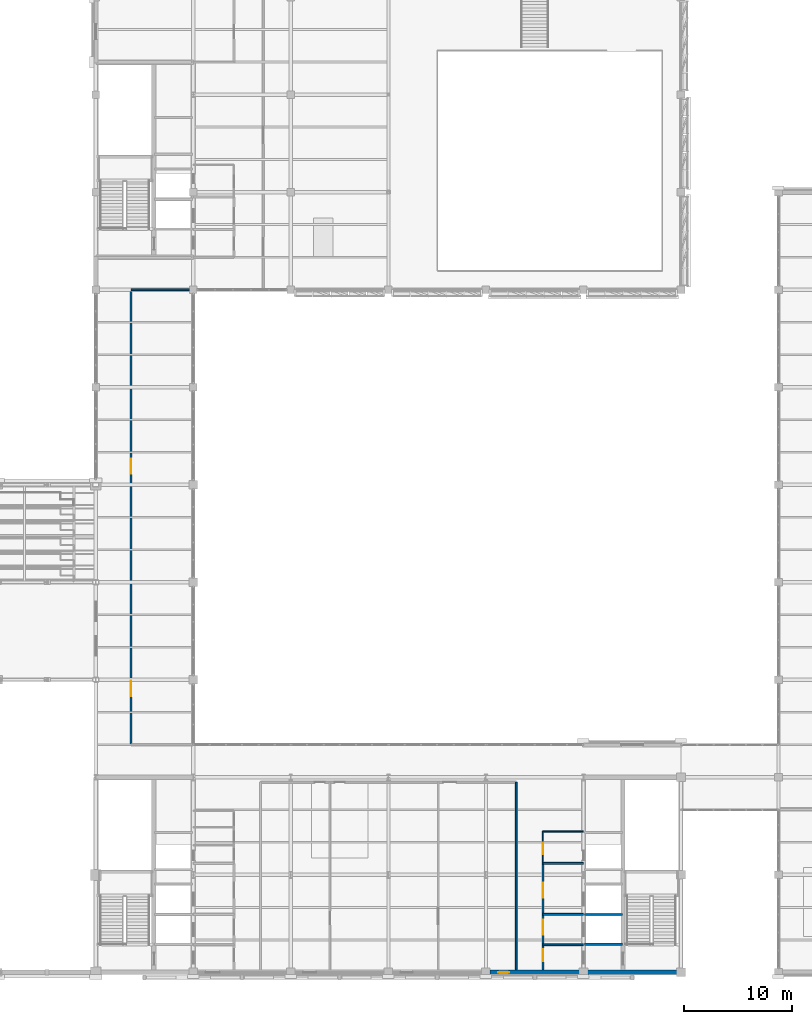
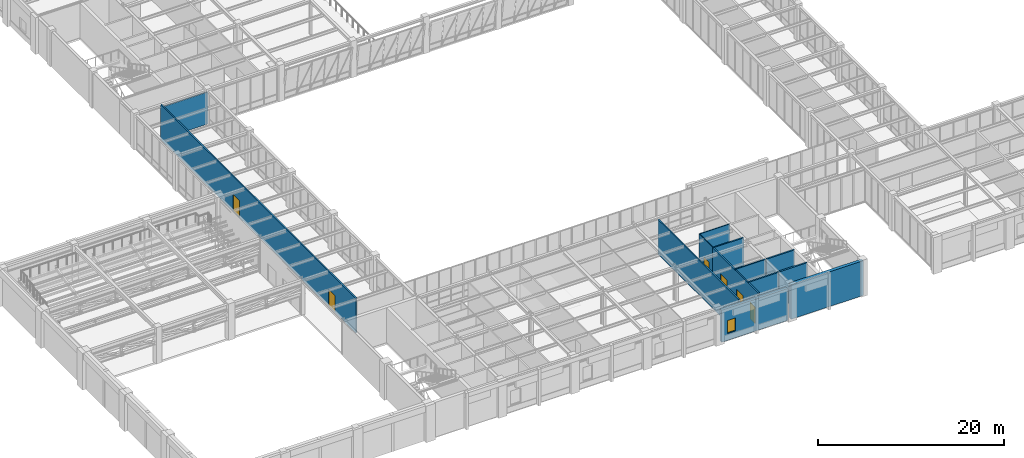
# One storey, part 81 of 92: 13 walls, 6 doors, 1 window, 7 openings.
"""IFC4 building model written with IfcOpenShell, lengths in metres."""

import ifcopenshell
import ifcopenshell.guid

model = None  # the IFC model being written
_history = None  # IfcOwnerHistory: only IFC2X3 demands one
_inside = {}  # id of a spatial element -> (the spatial element, [elements in it])
_under = {}  # id of a project, library or spatial element -> (it, [spatial elements below it])
_declared = {}  # id of a project -> (the project, [libraries it declares])
_typed = {}  # id of a type object -> (the type object, [elements of that type])
_made_of = {}  # id of a material, layer set ... -> (it, [elements and type objects made of it])


def new_model(schema):
    """Start an empty IFC model of exactly this schema.

    Asked for "IFC4X3", IfcOpenShell would pick the latest addendum, in which some entities
    have other attributes; the version numbers below select the first issue.
    IFC2X3 requires an IfcOwnerHistory on every rooted entity: one is made here for all.
    """
    global model, _history
    if schema == "IFC4X3":
        model = ifcopenshell.file(schema_version=(4, 3, 0, 0))
    else:
        model = ifcopenshell.file(schema=schema)
    _inside.clear()
    _under.clear()
    _declared.clear()
    _typed.clear()
    _made_of.clear()
    _history = None
    if model.schema == "IFC2X3":
        org = make("IfcOrganization", Name="unknown")
        user = make(
            "IfcPersonAndOrganization",
            ThePerson=make("IfcPerson", FamilyName="unknown"),
            TheOrganization=org,
        )
        app = make(
            "IfcApplication",
            ApplicationDeveloper=org,
            Version="unknown",
            ApplicationFullName="unknown",
            ApplicationIdentifier="unknown",
        )
        _history = make(
            "IfcOwnerHistory",
            OwningUser=user,
            OwningApplication=app,
            ChangeAction="ADDED",
            CreationDate=0,
        )
    return model


def make(cls, **values):
    """One entity of the class cls with the attributes given. An attribute that is None is left unset."""
    return model.create_entity(
        cls, **{name: value for name, value in values.items() if value is not None}
    )


def rooted(cls, **values):
    """An entity with a GlobalId (a new one), such as an element, a storey or a relation."""
    return make(cls, GlobalId=ifcopenshell.guid.new(), OwnerHistory=_history, **values)


def si_unit(unit_type, name, prefix=None):
    """IfcSIUnit, for example si_unit("LENGTHUNIT", "METRE", prefix="MILLI")."""
    return make("IfcSIUnit", UnitType=unit_type, Prefix=prefix, Name=name)


def assignment(units):
    """IfcUnitAssignment: the units of a project."""
    return None if units is None else make("IfcUnitAssignment", Units=units)


def point(xyz):
    """IfcCartesianPoint."""
    return None if xyz is None else make("IfcCartesianPoint", Coordinates=xyz)


def direction(xyz):
    """IfcDirection."""
    return None if xyz is None else make("IfcDirection", DirectionRatios=xyz)


def frame(location, z_axis=None, x_axis=None):
    """IfcAxis2Placement3D, a coordinate frame: its origin and axes. An axis left out is left unset."""
    return make(
        "IfcAxis2Placement3D",
        Location=point(location),
        Axis=direction(z_axis),
        RefDirection=direction(x_axis),
    )


def frame_2d(location, x_axis=None):
    """IfcAxis2Placement2D, a coordinate frame in the plane: its origin and x axis."""
    return make(
        "IfcAxis2Placement2D", Location=point(location), RefDirection=direction(x_axis)
    )


def origin():
    """The frame at (0, 0, 0) with its axes left unset."""
    return frame((0.0, 0.0, 0.0))


def place(relative_to, where):
    """IfcLocalPlacement: puts the frame where relative to a parent placement (None: the world)."""
    return make(
        "IfcLocalPlacement", PlacementRelTo=relative_to, RelativePlacement=where
    )


def context(
    kind, dimensions, precision=None, world=None, true_north=None, identifier=None
):
    """IfcGeometricRepresentationContext, for example the 3D "Model" context."""
    return make(
        "IfcGeometricRepresentationContext",
        ContextIdentifier=identifier,
        ContextType=kind,
        CoordinateSpaceDimension=dimensions,
        Precision=precision,
        WorldCoordinateSystem=world,
        TrueNorth=true_north,
    )


def subcontext(parent, identifier, kind, view, scale=None):
    """IfcGeometricRepresentationSubContext, for example "Body" below "Model"."""
    return make(
        "IfcGeometricRepresentationSubContext",
        ContextIdentifier=identifier,
        ContextType=kind,
        ParentContext=parent,
        TargetScale=scale,
        TargetView=view,
    )


def project(units=None, contexts=None):
    """IfcProject with its units and contexts."""
    return rooted(
        "IfcProject",
        Name="project",
        RepresentationContexts=contexts,
        UnitsInContext=assignment(units),
    )


def spatial(cls, under=None, at=None, **own):
    """A site, building, storey or space (cls), placed at a placement, below another one or the project."""
    s = rooted(cls, ObjectPlacement=at, **own)
    if under is not None:
        _under.setdefault(under.id(), (under, []))[1].append(s)
    return s


def profile(cls, at=None, kind="AREA", **sizes):
    """A parametric profile (cls). Its sizes go by their IFC names, for example OverallWidth=200.0."""
    return make(cls, ProfileType=kind, Position=at, **sizes)


def rectangle(**sizes):
    """IfcRectangleProfileDef."""
    return profile("IfcRectangleProfileDef", **sizes)


def extrude(swept, where, along, depth):
    """IfcExtrudedAreaSolid: the profile swept, set in the frame where, extruded along a direction by depth."""
    return make(
        "IfcExtrudedAreaSolid",
        SweptArea=swept,
        Position=where,
        ExtrudedDirection=direction(along),
        Depth=depth,
    )


def shape(context_of_items, identifier, shape_type, items):
    """IfcShapeRepresentation: the items that make up one representation, for example the "Body"."""
    return make(
        "IfcShapeRepresentation",
        ContextOfItems=context_of_items,
        RepresentationIdentifier=identifier,
        RepresentationType=shape_type,
        Items=items,
    )


def material(Name=None, Category=None):
    """IfcMaterial."""
    return make("IfcMaterial", Name=Name, Category=Category)


def layer(
    of_material, thickness, ventilated=None, Name=None, Category=None, Priority=None
):
    """IfcMaterialLayer: one layer of a wall or slab, of a material (None: an air gap)."""
    return make(
        "IfcMaterialLayer",
        Material=of_material,
        LayerThickness=thickness,
        IsVentilated=ventilated,
        Name=Name,
        Category=Category,
        Priority=Priority,
    )


def layer_set(layers, Name=None):
    """IfcMaterialLayerSet."""
    return make("IfcMaterialLayerSet", MaterialLayers=layers, LayerSetName=Name)


def made_of(thing, what):
    """Note that an element or type object is made of a material, layer set ...; save() writes the relation."""
    if what is not None:
        _made_of.setdefault(what.id(), (what, []))[1].append(thing)
    return thing


def type_object(cls, material=None, **own):
    """A type object (cls), such as IfcWallType, which elements share."""
    return made_of(rooted(cls, **own), material)


def element(
    cls,
    number,
    at=None,
    inside=None,
    cuts=None,
    type_object=None,
    material=None,
    context=None,
    identifier="Body",
    shape_type=None,
    held_by="IfcProductDefinitionShape",
    body=None,
    shapes=None,
    **own,
):
    """One element of the class cls, such as IfcWall. Its Tag is "e" and its number.

    at: its placement. inside: the storey or other place that contains it. cuts: it is an
    opening in that element (IfcRelVoidsElement). A single representation is given by context,
    identifier, shape_type and body (its items); several are given by shapes. held_by: the class
    of the entity that holds the representations. save() writes the other relations.
    """
    e = rooted(cls, Tag="e%d" % number, ObjectPlacement=at, **own)
    if body is not None:
        shapes = [shape(context, identifier, shape_type, body)]
    if shapes is not None:
        e.Representation = make(held_by, Representations=shapes)
    if inside is not None:
        _inside.setdefault(inside.id(), (inside, []))[1].append(e)
    if cuts is not None:
        rooted(
            "IfcRelVoidsElement", RelatingBuildingElement=cuts, RelatedOpeningElement=e
        )
    if type_object is not None:
        _typed.setdefault(type_object.id(), (type_object, []))[1].append(e)
    return made_of(e, material)


def fill(opening, filler):
    """IfcRelFillsElement: the door or window that sits in an opening."""
    return rooted(
        "IfcRelFillsElement",
        RelatingOpeningElement=opening,
        RelatedBuildingElement=filler,
    )


def aggregate(whole, parts):
    """IfcRelAggregates: a whole, such as a stair, and the parts it consists of."""
    return rooted("IfcRelAggregates", RelatingObject=whole, RelatedObjects=parts)


def save(model, path):
    """Write the relations noted so far, then the file.

    IfcRelAggregates (storeys below a building ...), IfcRelContainedInSpatialStructure (elements
    in a storey), IfcRelDefinesByType, IfcRelAssociatesMaterial and IfcRelDeclares: one each for
    every whole, place, type object, material and project.
    """
    for whole, parts in _under.values():
        aggregate(whole, parts)
    for where, things in _inside.values():
        rooted(
            "IfcRelContainedInSpatialStructure",
            RelatedElements=things,
            RelatingStructure=where,
        )
    for kind, things in _typed.values():
        rooted("IfcRelDefinesByType", RelatedObjects=things, RelatingType=kind)
    for what, things in _made_of.values():
        rooted("IfcRelAssociatesMaterial", RelatedObjects=things, RelatingMaterial=what)
    for by, libraries in _declared.values():
        rooted("IfcRelDeclares", RelatingContext=by, RelatedDefinitions=libraries)
    model.write(path)


model = new_model("IFC4")

# Units and contexts
model_context = context("Model", 3, precision=1e-05, world=origin(), true_north=direction((0.0, 1.0)))
body_context = subcontext(model_context, "Body", "Model", "MODEL_VIEW")
ifc_project = project(units=[si_unit("LENGTHUNIT", "METRE"), si_unit("AREAUNIT", "SQUARE_METRE"), si_unit("VOLUMEUNIT", "CUBIC_METRE"), si_unit("PLANEANGLEUNIT", "RADIAN"), si_unit("MASSUNIT", "GRAM", prefix="KILO")], contexts=[model_context])

# Site, building, storey
site_placement = place(None, origin())
site = spatial("IfcSite", under=ifc_project, at=site_placement, CompositionType="ELEMENT")
building_placement = place(site_placement, origin())
building = spatial("IfcBuilding", under=site, at=building_placement, Name="Lykobir Media Centre", CompositionType="ELEMENT")
storey_placement = place(building_placement, frame((0.0, 0.0, 5.39990234375)))
storey = spatial("IfcBuildingStorey", under=building, at=storey_placement, Name="L01", CompositionType="ELEMENT", Elevation=5.39990234375)

# Wall, opening, window
ifc_material_1 = material(Name="Honed Travertine Stone", Category="masonry")
ifc_layer_1 = layer(ifc_material_1, 0.389892578125, Name="Honed Travertine Stone")
ifc_layer_set_1 = layer_set([ifc_layer_1], Name="Honed Travertine Stone")
wall_type_1 = type_object("IfcWallType", Name="EW-TRAV-390", PredefinedType="STANDARD", material=ifc_layer_set_1)
wall_1_placement = place(storey_placement, frame((63.385009765625, 0.0, 0.0), z_axis=(0.0, 0.0, 1.0), x_axis=(1.0, 0.0, 0.0)))
wall_1 = element("IfcWall", 1, at=wall_1_placement, inside=storey, type_object=wall_type_1, Name="Exterior wall WALL-L01-0132", PredefinedType="STANDARD", context=body_context, shape_type="SweptSolid", body=[
    extrude(rectangle(XDim=8.22998046875, YDim=0.389892578125, at=frame_2d((4.114990234375, 0.0))), origin(), (0.0, 0.0, 1.0), 4.195068359375),
])
opening_1_placement = place(wall_1_placement, frame((0.75, 0.0, 0.89990234375)))
opening_1 = element("IfcOpeningElement", 2, at=opening_1_placement, cuts=wall_1, Name="Opening WN-1000x1700", PredefinedType="OPENING", context=body_context, shape_type="SweptSolid", body=[
    extrude(rectangle(XDim=1.0, YDim=1.699951171875, at=frame_2d((0.5, 0.85009765625))), frame((0.0, 0.204833984375, 0.0), z_axis=(0.0, -1.0, 0.0), x_axis=(1.0, 0.0, 0.0)), (0.0, 0.0, 1.0), 0.409912109375),
])
ifc_material_2 = material(Name="Low-E Laminated Triple Glazing", Category="glass")
window_type = type_object("IfcWindowType", Name="WN-1000x1700", PartitioningType="SINGLE_PANEL", PredefinedType="WINDOW", material=ifc_material_2)
window_placement = place(opening_1_placement, origin())
window = element("IfcWindow", 3, at=window_placement, inside=storey, type_object=window_type, Name="Window WIN-L01-0031", OverallHeight=1.699951171875, OverallWidth=1.0, PartitioningType="SINGLE_PANEL", PredefinedType="WINDOW", context=body_context, shape_type="SweptSolid", body=[
    extrude(rectangle(XDim=1.0, YDim=1.699951171875, at=frame_2d((0.5, 0.85009765625))), frame((0.0, 0.030029296875, 0.0), z_axis=(0.0, -1.0, 0.0), x_axis=(1.0, 0.0, 0.0)), (0.0, 0.0, 1.0), 0.06005859375),
])
fill(opening_1, window)

# Wall
ifc_material_3 = material(Name="Acoustic Gypsum Board", Category="gypsum")
ifc_layer_2 = layer(ifc_material_3, 0.159912109375, Name="Acoustic Gypsum Board")
ifc_layer_set_2 = layer_set([ifc_layer_2], Name="Acoustic Gypsum Board")
wall_type_2 = type_object("IfcWallType", Name="IW-COR-160", PredefinedType="PARTITIONING", material=ifc_layer_set_2)
wall_2_placement = place(storey_placement, frame((65.800048828125, 0.219970703125, 0.0), z_axis=(0.0, 0.0, 1.0), x_axis=(0.0, 1.0, 0.0)))
element("IfcWall", 4, at=wall_2_placement, inside=storey, type_object=wall_type_2, Name="Wall IWALL-L01-0679", PredefinedType="PARTITIONING", context=body_context, shape_type="SweptSolid", body=[
    extrude(rectangle(XDim=17.330078125, YDim=0.159912109375, at=frame_2d((8.6650390625, 0.0))), origin(), (0.0, 0.0, 1.0), 4.56005859375),
])

# Wall, openings, doors
wall_3_placement = place(storey_placement, frame((30.25, 21.0, 0.0), z_axis=(0.0, 0.0, 1.0), x_axis=(0.0, 1.0, 0.0)))
wall_3 = element("IfcWall", 5, at=wall_3_placement, inside=storey, type_object=wall_type_2, Name="Wall IWALL-L01-0682", PredefinedType="PARTITIONING", context=body_context, shape_type="SweptSolid", body=[
    extrude(rectangle(XDim=42.0, YDim=0.159912109375, at=frame_2d((21.0, 0.0))), origin(), (0.0, 0.0, 1.0), 4.56005859375),
])
opening_2_placement = place(wall_3_placement, frame((4.5, 0.0, 0.0)))
opening_2 = element("IfcOpeningElement", 6, at=opening_2_placement, cuts=wall_3, Name="Opening D-L01-WG1", PredefinedType="OPENING", context=body_context, shape_type="SweptSolid", body=[
    extrude(rectangle(XDim=1.39990234375, YDim=2.199951171875, at=frame_2d((0.699951171875, 1.10009765625))), frame((0.0, 0.08984375, 0.0), z_axis=(0.0, -1.0, 0.0), x_axis=(1.0, 0.0, 0.0)), (0.0, 0.0, 1.0), 0.179931640625),
])
opening_3_placement = place(wall_3_placement, frame((25.0, 0.0, 0.0)))
opening_3 = element("IfcOpeningElement", 7, at=opening_3_placement, cuts=wall_3, Name="Opening D-L01-WG2", PredefinedType="OPENING", context=body_context, shape_type="SweptSolid", body=[
    extrude(rectangle(XDim=1.39990234375, YDim=2.199951171875, at=frame_2d((0.699951171875, 1.10009765625))), frame((0.0, 0.08984375, 0.0), z_axis=(0.0, -1.0, 0.0), x_axis=(1.0, 0.0, 0.0)), (0.0, 0.0, 1.0), 0.179931640625),
])
ifc_material_4 = material(Name="Acoustic Timber Panelling", Category="wood")
door_type_1 = type_object("IfcDoorType", Name="FD-1400x2200", OperationType="NOTDEFINED", PredefinedType="DOOR", material=ifc_material_4)
door_1_placement = place(opening_2_placement, origin())
door_1 = element("IfcDoor", 8, at=door_1_placement, inside=storey, type_object=door_type_1, Name="Door D-L01-WG1", OperationType="DOUBLE_DOOR_SINGLE_SWING", OverallHeight=2.199951171875, OverallWidth=1.39990234375, PredefinedType="DOOR", context=body_context, shape_type="SweptSolid", body=[
    extrude(rectangle(XDim=1.39990234375, YDim=2.199951171875, at=frame_2d((0.699951171875, 1.10009765625))), frame((0.0, 0.02490234375, 0.0), z_axis=(0.0, -1.0, 0.0), x_axis=(1.0, 0.0, 0.0)), (0.0, 0.0, 1.0), 0.050048828125),
])
fill(opening_2, door_1)
door_2_placement = place(opening_3_placement, origin())
door_2 = element("IfcDoor", 9, at=door_2_placement, inside=storey, type_object=door_type_1, Name="Door D-L01-WG2", OperationType="DOUBLE_DOOR_SINGLE_SWING", OverallHeight=2.199951171875, OverallWidth=1.39990234375, PredefinedType="DOOR", context=body_context, shape_type="SweptSolid", body=[
    extrude(rectangle(XDim=1.39990234375, YDim=2.199951171875, at=frame_2d((0.699951171875, 1.10009765625))), frame((0.0, 0.02490234375, 0.0), z_axis=(0.0, -1.0, 0.0), x_axis=(1.0, 0.0, 0.0)), (0.0, 0.0, 1.0), 0.050048828125),
])
fill(opening_3, door_2)

# Wall
wall_4_placement = place(storey_placement, frame((30.25, 63.0, 0.0), z_axis=(0.0, 0.0, 1.0), x_axis=(1.0, 0.0, 0.0)))
element("IfcWall", 10, at=wall_4_placement, inside=storey, type_object=wall_type_2, Name="Wall IWALL-L01-0684", PredefinedType="PARTITIONING", context=body_context, shape_type="SweptSolid", body=[
    extrude(rectangle(XDim=5.75, YDim=0.159912109375, at=frame_2d((2.875, 0.0))), origin(), (0.0, 0.0, 1.0), 4.195068359375),
])

# Wall, openings, doors
ifc_layer_3 = layer(ifc_material_3, 0.179931640625, Name="Acoustic Gypsum Board")
ifc_layer_set_3 = layer_set([ifc_layer_3], Name="Acoustic Gypsum Board")
wall_type_3 = type_object("IfcWallType", Name="IW-FFLOB-180", PredefinedType="PARTITIONING", material=ifc_layer_set_3)
wall_5_placement = place(storey_placement, frame((68.25, 0.219970703125, 0.0), z_axis=(0.0, 0.0, 1.0), x_axis=(0.0, 1.0, 0.0)))
wall_5 = element("IfcWall", 11, at=wall_5_placement, inside=storey, type_object=wall_type_3, Name="Wall IWALL-L01-0225", PredefinedType="PARTITIONING", context=body_context, shape_type="SweptSolid", body=[
    extrude(rectangle(XDim=9.830078125, YDim=0.179931640625, at=frame_2d((4.9150390625, 0.0))), origin(), (0.0, 0.0, 1.0), 4.56005859375),
])
opening_4_placement = place(wall_5_placement, frame((0.800048828125, 0.0, 0.0)))
opening_4 = element("IfcOpeningElement", 12, at=opening_4_placement, cuts=wall_5, Name="Opening D-L01-C2LV", PredefinedType="OPENING", context=body_context, shape_type="SweptSolid", body=[
    extrude(rectangle(XDim=1.10009765625, YDim=2.159912109375, at=frame_2d((0.550048828125, 1.080078125))), frame((0.0, 0.099853515625, 0.0), z_axis=(0.0, -1.0, 0.0), x_axis=(1.0, 0.0, 0.0)), (0.0, 0.0, 1.0), 0.199951171875),
])
opening_5_placement = place(wall_5_placement, frame((3.25, 0.0, 0.0)))
opening_5 = element("IfcOpeningElement", 13, at=opening_5_placement, cuts=wall_5, Name="Opening D-L01-C2PL", PredefinedType="OPENING", context=body_context, shape_type="SweptSolid", body=[
    extrude(rectangle(XDim=1.39990234375, YDim=2.199951171875, at=frame_2d((0.699951171875, 1.10009765625))), frame((0.0, 0.099853515625, 0.0), z_axis=(0.0, -1.0, 0.0), x_axis=(1.0, 0.0, 0.0)), (0.0, 0.0, 1.0), 0.199951171875),
])
opening_6_placement = place(wall_5_placement, frame((6.64990234375, 0.0, 0.0)))
opening_6 = element("IfcOpeningElement", 14, at=opening_6_placement, cuts=wall_5, Name="Opening D-L01-C2FF", PredefinedType="OPENING", context=body_context, shape_type="SweptSolid", body=[
    extrude(rectangle(XDim=1.39990234375, YDim=2.199951171875, at=frame_2d((0.699951171875, 1.10009765625))), frame((0.0, 0.099853515625, 0.0), z_axis=(0.0, -1.0, 0.0), x_axis=(1.0, 0.0, 0.0)), (0.0, 0.0, 1.0), 0.199951171875),
])
door_type_2 = type_object("IfcDoorType", Name="FD-1100x2160", OperationType="NOTDEFINED", PredefinedType="DOOR", material=ifc_material_4)
door_3_placement = place(opening_4_placement, origin())
door_3 = element("IfcDoor", 15, at=door_3_placement, inside=storey, type_object=door_type_2, Name="Door D-L01-C2LV", OperationType="SINGLE_SWING_LEFT", OverallHeight=2.159912109375, OverallWidth=1.10009765625, PredefinedType="DOOR", context=body_context, shape_type="SweptSolid", body=[
    extrude(rectangle(XDim=1.10009765625, YDim=2.159912109375, at=frame_2d((0.550048828125, 1.080078125))), frame((0.0, 0.02490234375, 0.0), z_axis=(0.0, -1.0, 0.0), x_axis=(1.0, 0.0, 0.0)), (0.0, 0.0, 1.0), 0.050048828125),
])
fill(opening_4, door_3)
door_4_placement = place(opening_5_placement, origin())
door_4 = element("IfcDoor", 16, at=door_4_placement, inside=storey, type_object=door_type_1, Name="Door D-L01-C2PL", OperationType="DOUBLE_DOOR_SINGLE_SWING", OverallHeight=2.199951171875, OverallWidth=1.39990234375, PredefinedType="DOOR", context=body_context, shape_type="SweptSolid", body=[
    extrude(rectangle(XDim=1.39990234375, YDim=2.199951171875, at=frame_2d((0.699951171875, 1.10009765625))), frame((0.0, 0.02490234375, 0.0), z_axis=(0.0, -1.0, 0.0), x_axis=(1.0, 0.0, 0.0)), (0.0, 0.0, 1.0), 0.050048828125),
])
fill(opening_5, door_4)
door_5_placement = place(opening_6_placement, origin())
door_5 = element("IfcDoor", 17, at=door_5_placement, inside=storey, type_object=door_type_1, Name="Door D-L01-C2FF", OperationType="DOUBLE_DOOR_SINGLE_SWING", OverallHeight=2.199951171875, OverallWidth=1.39990234375, PredefinedType="DOOR", context=body_context, shape_type="SweptSolid", body=[
    extrude(rectangle(XDim=1.39990234375, YDim=2.199951171875, at=frame_2d((0.699951171875, 1.10009765625))), frame((0.0, 0.02490234375, 0.0), z_axis=(0.0, -1.0, 0.0), x_axis=(1.0, 0.0, 0.0)), (0.0, 0.0, 1.0), 0.050048828125),
])
fill(opening_6, door_5)

# Walls
for number, where, z_axis, x_axis, name in (
    (18, (68.25, 2.550048828125, 0.0), (0.0, 0.0, 1.0), (1.0, 0.0, 0.0), "Wall IWALL-L01-0226"),
    (19, (68.25, 5.35009765625, 0.0), (0.0, 0.0, 1.0), (1.0, 0.0, 0.0), "Wall IWALL-L01-0227"),
    (20, (68.25, 10.050048828125, 0.0), (0.0, 0.0, 1.0), (1.0, 0.0, 0.0), "Wall IWALL-L01-0228"),
):
    element("IfcWall", number, at=place(storey_placement, frame(where, z_axis=z_axis, x_axis=x_axis)), inside=storey, type_object=wall_type_3, Name=name, PredefinedType="PARTITIONING", context=body_context, shape_type="SweptSolid", body=[
        extrude(rectangle(XDim=3.75, YDim=0.179931640625, at=frame_2d((1.875, 0.0))), origin(), (0.0, 0.0, 1.0), 4.56005859375),
    ])
ifc_material_5 = material(Name="Concrete C30/37", Category="concrete")
ifc_layer_4 = layer(ifc_material_5, 0.199951171875, Name="Concrete C30/37")
ifc_layer_set_4 = layer_set([ifc_layer_4], Name="Concrete C30/37")
wall_type_4 = type_object("IfcWallType", Name="IW-SHAFT-200", PredefinedType="PARTITIONING", material=ifc_layer_set_4)
for number, where, z_axis, x_axis, name in (
    (21, (72.10009765625, 2.60009765625, 0.0), (0.0, 0.0, 1.0), (1.0, 0.0, 0.0), "Wall IWALL-L01-0220"),
    (22, (72.10009765625, 5.35009765625, 0.0), (0.0, 0.0, 1.0), (1.0, 0.0, 0.0), "Wall IWALL-L01-0221"),
):
    element("IfcWall", number, at=place(storey_placement, frame(where, z_axis=z_axis, x_axis=x_axis)), inside=storey, type_object=wall_type_4, Name=name, PredefinedType="PARTITIONING", context=body_context, shape_type="SweptSolid", body=[
        extrude(rectangle(XDim=3.5, YDim=0.199951171875, at=frame_2d((1.75, 0.0))), origin(), (0.0, 0.0, 1.0), 4.56005859375),
    ])

# Wall, opening, door
ifc_layer_5 = layer(ifc_material_3, 0.094970703125, Name="Acoustic Gypsum Board")
ifc_layer_set_5 = layer_set([ifc_layer_5], Name="Acoustic Gypsum Board")
wall_type_5 = type_object("IfcWallType", Name="IW-WC-095", PredefinedType="PARTITIONING", material=ifc_layer_set_5)
wall_6_placement = place(storey_placement, frame((68.25, 10.050048828125, 0.0), z_axis=(0.0, 0.0, 1.0), x_axis=(0.0, 1.0, 0.0)))
wall_6 = element("IfcWall", 23, at=wall_6_placement, inside=storey, type_object=wall_type_5, Name="Wall IWALL-L01-0229", PredefinedType="PARTITIONING", context=body_context, shape_type="SweptSolid", body=[
    extrude(rectangle(XDim=2.949951171875, YDim=0.094970703125, at=frame_2d((1.47509765625, 0.0))), origin(), (0.0, 0.0, 1.0), 4.56005859375),
])
opening_7_placement = place(wall_6_placement, frame((0.85009765625, 0.0, 0.0)))
opening_7 = element("IfcOpeningElement", 24, at=opening_7_placement, cuts=wall_6, Name="Opening D-L01-WCA2", PredefinedType="OPENING", context=body_context, shape_type="SweptSolid", body=[
    extrude(rectangle(XDim=1.050048828125, YDim=2.1298828125, at=frame_2d((0.52490234375, 1.06494140625))), frame((0.0, 0.057373046875, 0.0), z_axis=(0.0, -1.0, 0.0), x_axis=(1.0, 0.0, 0.0)), (0.0, 0.0, 1.0), 0.114990234375),
])
door_type_3 = type_object("IfcDoorType", Name="ID-1050x2130", OperationType="NOTDEFINED", PredefinedType="DOOR", material=ifc_material_4)
door_6_placement = place(opening_7_placement, origin())
door_6 = element("IfcDoor", 25, at=door_6_placement, inside=storey, type_object=door_type_3, Name="Door D-L01-WCA2", OperationType="SINGLE_SWING_RIGHT", OverallHeight=2.1298828125, OverallWidth=1.050048828125, PredefinedType="DOOR", context=body_context, shape_type="SweptSolid", body=[
    extrude(rectangle(XDim=1.050048828125, YDim=2.1298828125, at=frame_2d((0.52490234375, 1.06494140625))), frame((0.0, 0.02490234375, 0.0), z_axis=(0.0, -1.0, 0.0), x_axis=(1.0, 0.0, 0.0)), (0.0, 0.0, 1.0), 0.050048828125),
])
fill(opening_7, door_6)

# Walls
wall_7_placement = place(storey_placement, frame((68.25, 13.0, 0.0), z_axis=(0.0, 0.0, 1.0), x_axis=(1.0, 0.0, 0.0)))
element("IfcWall", 26, at=wall_7_placement, inside=storey, type_object=wall_type_5, Name="Wall IWALL-L01-0230", PredefinedType="PARTITIONING", context=body_context, shape_type="SweptSolid", body=[
    extrude(rectangle(XDim=3.75, YDim=0.094970703125, at=frame_2d((1.875, 0.0))), origin(), (0.0, 0.0, 1.0), 4.56005859375),
])
ifc_material_6 = material(Name="Concrete C40/50", Category="concrete")
ifc_layer_6 = layer(ifc_material_6, 0.39990234375, Name="Concrete C40/50")
ifc_layer_set_6 = layer_set([ifc_layer_6], Name="Concrete C40/50")
wall_type_6 = type_object("IfcWallType", Name="SW-CORE-400-E", PredefinedType="SHEAR", material=ifc_layer_set_6)
wall_8_placement = place(storey_placement, frame((72.0, 0.0, 0.0), z_axis=(0.0, 0.0, 1.0), x_axis=(1.0, 0.0, 0.0)))
element("IfcWall", 27, at=wall_8_placement, inside=storey, type_object=wall_type_6, Name="Wall IWALL-L01-0215", PredefinedType="SHEAR", context=body_context, shape_type="SweptSolid", body=[
    extrude(rectangle(XDim=9.0, YDim=0.39990234375, at=frame_2d((4.5, 0.0))), origin(), (0.0, 0.0, 1.0), 4.56005859375),
])

save(model, "model.ifc")
